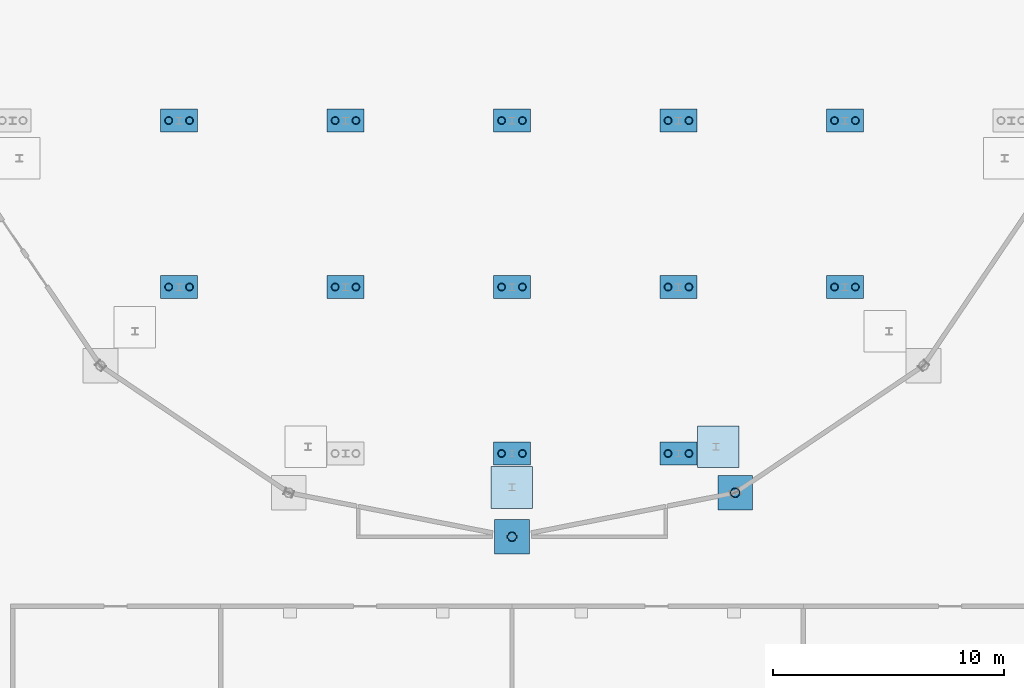
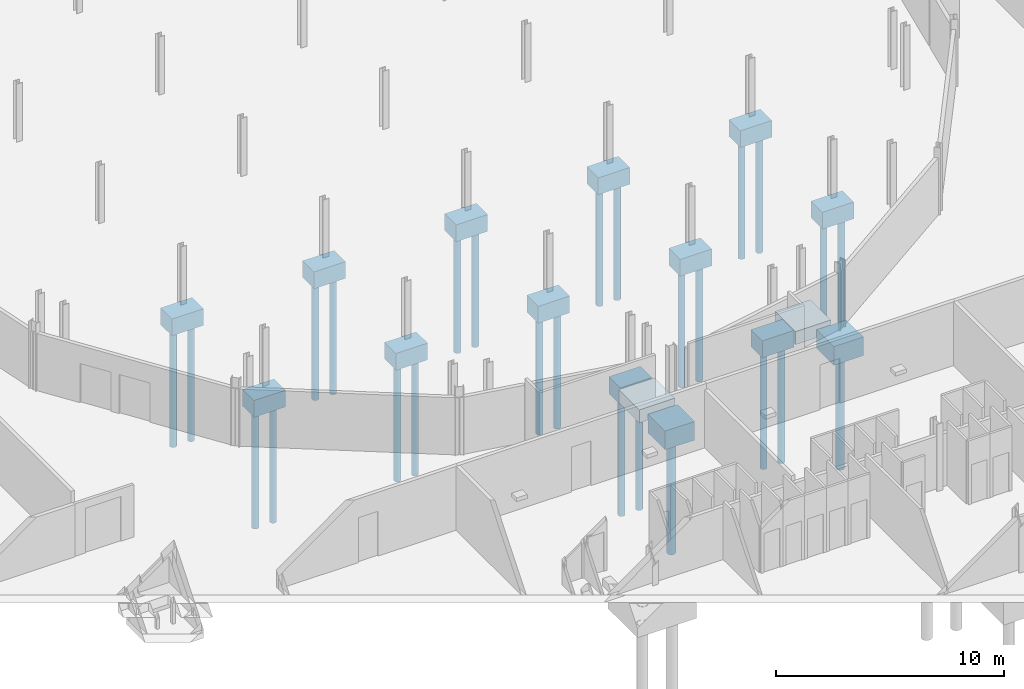
# One storey, part 8 of 148: 26 piles, 16 footings.
"""IFC4 building model written with IfcOpenShell, lengths in metres."""

from ifc_helpers import new_model, si_unit, direction, frame, origin, origin_2d, place, context, subcontext, project, spatial, rectangle, hollow_circle, extrude, material, layer, layer_set, material_profile, profile_set, type_object, element, save


model = new_model("IFC4")

# Units and contexts
model_context = context("Model", 3, precision=1e-05, world=origin(), true_north=direction((0.0, 1.0)))
body_context = subcontext(model_context, "Body", "Model", "MODEL_VIEW")
ifc_project = project(units=[si_unit("LENGTHUNIT", "METRE"), si_unit("AREAUNIT", "SQUARE_METRE"), si_unit("VOLUMEUNIT", "CUBIC_METRE"), si_unit("PLANEANGLEUNIT", "RADIAN"), si_unit("MASSUNIT", "GRAM", prefix="KILO")], contexts=[model_context])

# Site, building, storey
site_placement = place(None, origin())
site = spatial("IfcSite", under=ifc_project, at=site_placement, CompositionType="ELEMENT")
building_placement = place(site_placement, origin())
building = spatial("IfcBuilding", under=site, at=building_placement, Name="Kupolbacken Congress Centre", CompositionType="ELEMENT")
storey_placement = place(building_placement, origin())
storey = spatial("IfcBuildingStorey", under=building, at=storey_placement, Name="L00", CompositionType="ELEMENT", Elevation=0.0)

# Footings
ifc_material_1 = material(Name="Concrete C30/37", Category="concrete")
ifc_layer_1 = layer(ifc_material_1, 0.89990234375)
ifc_layer_set_1 = layer_set([ifc_layer_1], Name="Concrete C30/37")
footing_type_1 = type_object("IfcFootingType", Name="PC7 pile cap 1.60 x 1.00 x 0.90 m", PredefinedType="PILE_CAP", material=ifc_layer_set_1)
for number, where, z_axis, x_axis, name in (
    (1, (28.800048828125, 72.0, -1.199951171875), (0.0, 0.0, 1.0), (1.0, 0.0, 0.0), "S/fnd/C-PL-288-720/cap"),
    (2, (28.800048828125, 79.199951171875, -1.199951171875), (0.0, 0.0, 1.0), (1.0, 0.0, 0.0), "S/fnd/C-PL-288-792/cap"),
    (3, (36.0, 72.0, -1.199951171875), (0.0, 0.0, 1.0), (1.0, 0.0, 0.0), "S/fnd/C-PL-360-720/cap"),
    (4, (36.0, 79.199951171875, -1.199951171875), (0.0, 0.0, 1.0), (1.0, 0.0, 0.0), "S/fnd/C-PL-360-792/cap"),
    (5, (43.199951171875, 64.800048828125, -1.199951171875), (0.0, 0.0, 1.0), (1.0, 0.0, 0.0), "S/fnd/C-PL-432-648/cap"),
    (6, (43.199951171875, 72.0, -1.199951171875), (0.0, 0.0, 1.0), (1.0, 0.0, 0.0), "S/fnd/C-PL-432-720/cap"),
    (7, (43.199951171875, 79.199951171875, -1.199951171875), (0.0, 0.0, 1.0), (1.0, 0.0, 0.0), "S/fnd/C-PL-432-792/cap"),
    (8, (50.39990234375, 64.800048828125, -1.199951171875), (0.0, 0.0, 1.0), (1.0, 0.0, 0.0), "S/fnd/C-PL-504-648/cap"),
    (9, (50.39990234375, 72.0, -1.199951171875), (0.0, 0.0, 1.0), (1.0, 0.0, 0.0), "S/fnd/C-PL-504-720/cap"),
    (10, (50.39990234375, 79.199951171875, -1.199951171875), (0.0, 0.0, 1.0), (1.0, 0.0, 0.0), "S/fnd/C-PL-504-792/cap"),
    (11, (57.60009765625, 72.0, -1.199951171875), (0.0, 0.0, 1.0), (1.0, 0.0, 0.0), "S/fnd/C-PL-576-720/cap"),
    (12, (57.60009765625, 79.199951171875, -1.199951171875), (0.0, 0.0, 1.0), (1.0, 0.0, 0.0), "S/fnd/C-PL-576-792/cap"),
):
    element("IfcFooting", number, at=place(storey_placement, frame(where, z_axis=z_axis, x_axis=x_axis)), inside=storey, type_object=footing_type_1, Name=name, PredefinedType="PILE_CAP", context=body_context, shape_type="SweptSolid", body=[
        extrude(rectangle(XDim=1.60009765625, YDim=1.0, at=origin_2d()), origin(), (0.0, 0.0, 1.0), 0.89990234375),
    ])
ifc_material_2 = material(Name="Concrete C30/37", Category="concrete")
ifc_layer_2 = layer(ifc_material_2, 1.0)
ifc_layer_set_2 = layer_set([ifc_layer_2], Name="Concrete C30/37")
footing_type_2 = type_object("IfcFootingType", Name="PC8 pile cap 1.50 x 1.50 x 1.00 m", PredefinedType="PILE_CAP", material=ifc_layer_set_2)
for number, where, z_axis, x_axis, name in (
    (13, (43.199951171875, 61.199951171875, -1.300048828125), (0.0, 0.0, 1.0), (1.0, 0.0, 0.0), "S/fnd/C-D13/cap"),
    (14, (52.85009765625, 63.10009765625, -1.300048828125), (0.0, 0.0, 1.0), (1.0, 0.0, 0.0), "S/fnd/C-D14/cap"),
):
    element("IfcFooting", number, at=place(storey_placement, frame(where, z_axis=z_axis, x_axis=x_axis)), inside=storey, type_object=footing_type_2, Name=name, PredefinedType="PILE_CAP", context=body_context, shape_type="SweptSolid", body=[
        extrude(rectangle(XDim=1.5, YDim=1.5, at=origin_2d()), origin(), (0.0, 0.0, 1.0), 1.0),
    ])
ifc_material_3 = material(Name="Concrete C30/37", Category="concrete")
ifc_layer_3 = layer(ifc_material_3, 0.699951171875)
ifc_layer_set_3 = layer_set([ifc_layer_3], Name="Concrete C30/37")
footing_type_3 = type_object("IfcFootingType", Name="PD4 pad footing 1.80 x 1.80 x 0.70 m", PredefinedType="PAD_FOOTING", material=ifc_layer_set_3)
for number, where, z_axis, x_axis, name in (
    (15, (43.18994140625, 63.3310546875, -1.0), (0.0, 0.0, 1.0), (1.0, 0.0, 0.0), "PD/ring/pad/2700"),
    (16, (52.1142578125, 65.08642578125, -1.0), (0.0, 0.0, 1.0), (1.0, 0.0, 0.0), "PD/ring/pad/2925"),
):
    element("IfcFooting", number, at=place(storey_placement, frame(where, z_axis=z_axis, x_axis=x_axis)), inside=storey, type_object=footing_type_3, Name=name, PredefinedType="PAD_FOOTING", context=body_context, shape_type="SweptSolid", body=[
        extrude(rectangle(XDim=1.800048828125, YDim=1.800048828125, at=origin_2d()), origin(), (0.0, 0.0, 1.0), 0.699951171875),
    ])

# Piles
ifc_material_4 = material(Name="Steel S355", Category="steel")
ifc_material_profile_1 = material_profile(ifc_material_4, hollow_circle(Radius=0.161865234375, WallThickness=0.012451171875, at=origin_2d()), Name="CHS 323.9 x 12.5")
ifc_profile_set_1 = profile_set([ifc_material_profile_1], Name="Steel S355")
pile_type_1 = type_object("IfcPileType", Name="PL1 steel tube pile CHS 323.9 x 12.5", PredefinedType="BORED", material=ifc_profile_set_1)
for number, where, z_axis, x_axis, name in (
    (17, (28.35009765625, 72.0, -1.199951171875), (0.0, 0.0, -1.0), (1.0, 0.0, 0.0), "S/fnd/C-PL-288-720/pile1"),
    (18, (29.25, 72.0, -1.199951171875), (0.0, 0.0, -1.0), (1.0, 0.0, 0.0), "S/fnd/C-PL-288-720/pile2"),
    (19, (28.35009765625, 79.199951171875, -1.199951171875), (0.0, 0.0, -1.0), (1.0, 0.0, 0.0), "S/fnd/C-PL-288-792/pile1"),
    (20, (29.25, 79.199951171875, -1.199951171875), (0.0, 0.0, -1.0), (1.0, 0.0, 0.0), "S/fnd/C-PL-288-792/pile2"),
    (21, (35.550048828125, 72.0, -1.199951171875), (0.0, 0.0, -1.0), (1.0, 0.0, 0.0), "S/fnd/C-PL-360-720/pile1"),
    (22, (36.449951171875, 72.0, -1.199951171875), (0.0, 0.0, -1.0), (1.0, 0.0, 0.0), "S/fnd/C-PL-360-720/pile2"),
    (23, (35.550048828125, 79.199951171875, -1.199951171875), (0.0, 0.0, -1.0), (1.0, 0.0, 0.0), "S/fnd/C-PL-360-792/pile1"),
    (24, (36.449951171875, 79.199951171875, -1.199951171875), (0.0, 0.0, -1.0), (1.0, 0.0, 0.0), "S/fnd/C-PL-360-792/pile2"),
    (25, (42.75, 64.800048828125, -1.199951171875), (0.0, 0.0, -1.0), (1.0, 0.0, 0.0), "S/fnd/C-PL-432-648/pile1"),
    (26, (43.64990234375, 64.800048828125, -1.199951171875), (0.0, 0.0, -1.0), (1.0, 0.0, 0.0), "S/fnd/C-PL-432-648/pile2"),
    (27, (42.75, 72.0, -1.199951171875), (0.0, 0.0, -1.0), (1.0, 0.0, 0.0), "S/fnd/C-PL-432-720/pile1"),
    (28, (43.64990234375, 72.0, -1.199951171875), (0.0, 0.0, -1.0), (1.0, 0.0, 0.0), "S/fnd/C-PL-432-720/pile2"),
    (29, (42.75, 79.199951171875, -1.199951171875), (0.0, 0.0, -1.0), (1.0, 0.0, 0.0), "S/fnd/C-PL-432-792/pile1"),
    (30, (43.64990234375, 79.199951171875, -1.199951171875), (0.0, 0.0, -1.0), (1.0, 0.0, 0.0), "S/fnd/C-PL-432-792/pile2"),
    (31, (49.949951171875, 64.800048828125, -1.199951171875), (0.0, 0.0, -1.0), (1.0, 0.0, 0.0), "S/fnd/C-PL-504-648/pile1"),
    (32, (50.85009765625, 64.800048828125, -1.199951171875), (0.0, 0.0, -1.0), (1.0, 0.0, 0.0), "S/fnd/C-PL-504-648/pile2"),
    (33, (49.949951171875, 72.0, -1.199951171875), (0.0, 0.0, -1.0), (1.0, 0.0, 0.0), "S/fnd/C-PL-504-720/pile1"),
    (34, (50.85009765625, 72.0, -1.199951171875), (0.0, 0.0, -1.0), (1.0, 0.0, 0.0), "S/fnd/C-PL-504-720/pile2"),
    (35, (49.949951171875, 79.199951171875, -1.199951171875), (0.0, 0.0, -1.0), (1.0, 0.0, 0.0), "S/fnd/C-PL-504-792/pile1"),
    (36, (50.85009765625, 79.199951171875, -1.199951171875), (0.0, 0.0, -1.0), (1.0, 0.0, 0.0), "S/fnd/C-PL-504-792/pile2"),
    (37, (57.14990234375, 72.0, -1.199951171875), (0.0, 0.0, -1.0), (1.0, 0.0, 0.0), "S/fnd/C-PL-576-720/pile1"),
    (38, (58.050048828125, 72.0, -1.199951171875), (0.0, 0.0, -1.0), (1.0, 0.0, 0.0), "S/fnd/C-PL-576-720/pile2"),
    (39, (57.14990234375, 79.199951171875, -1.199951171875), (0.0, 0.0, -1.0), (1.0, 0.0, 0.0), "S/fnd/C-PL-576-792/pile1"),
    (40, (58.050048828125, 79.199951171875, -1.199951171875), (0.0, 0.0, -1.0), (1.0, 0.0, 0.0), "S/fnd/C-PL-576-792/pile2"),
):
    element("IfcPile", number, at=place(storey_placement, frame(where, z_axis=z_axis, x_axis=x_axis)), inside=storey, type_object=pile_type_1, Name=name, PredefinedType="BORED", context=body_context, shape_type="SweptSolid", body=[
        extrude(hollow_circle(Radius=0.161865234375, WallThickness=0.012451171875, at=origin_2d()), origin(), (0.0, 0.0, 1.0), 6.300048828125),
    ])
ifc_material_5 = material(Name="Steel S355", Category="steel")
ifc_material_profile_2 = material_profile(ifc_material_5, hollow_circle(Radius=0.203125, WallThickness=0.01611328125, at=origin_2d()), Name="CHS 406.4 x 16")
ifc_profile_set_2 = profile_set([ifc_material_profile_2], Name="Steel S355")
pile_type_2 = type_object("IfcPileType", Name="PL2 steel tube pile CHS 406.4 x 16", PredefinedType="BORED", material=ifc_profile_set_2)
for number, where, z_axis, x_axis, name in (
    (41, (43.199951171875, 61.199951171875, -1.300048828125), (0.0, 0.0, -1.0), (1.0, 0.0, 0.0), "S/fnd/C-D13/pile1"),
    (42, (52.85009765625, 63.10009765625, -1.300048828125), (0.0, 0.0, -1.0), (1.0, 0.0, 0.0), "S/fnd/C-D14/pile1"),
):
    element("IfcPile", number, at=place(storey_placement, frame(where, z_axis=z_axis, x_axis=x_axis)), inside=storey, type_object=pile_type_2, Name=name, PredefinedType="BORED", context=body_context, shape_type="SweptSolid", body=[
        extrude(hollow_circle(Radius=0.203125, WallThickness=0.01611328125, at=origin_2d()), origin(), (0.0, 0.0, 1.0), 6.199951171875),
    ])

save(model, "model.ifc")
